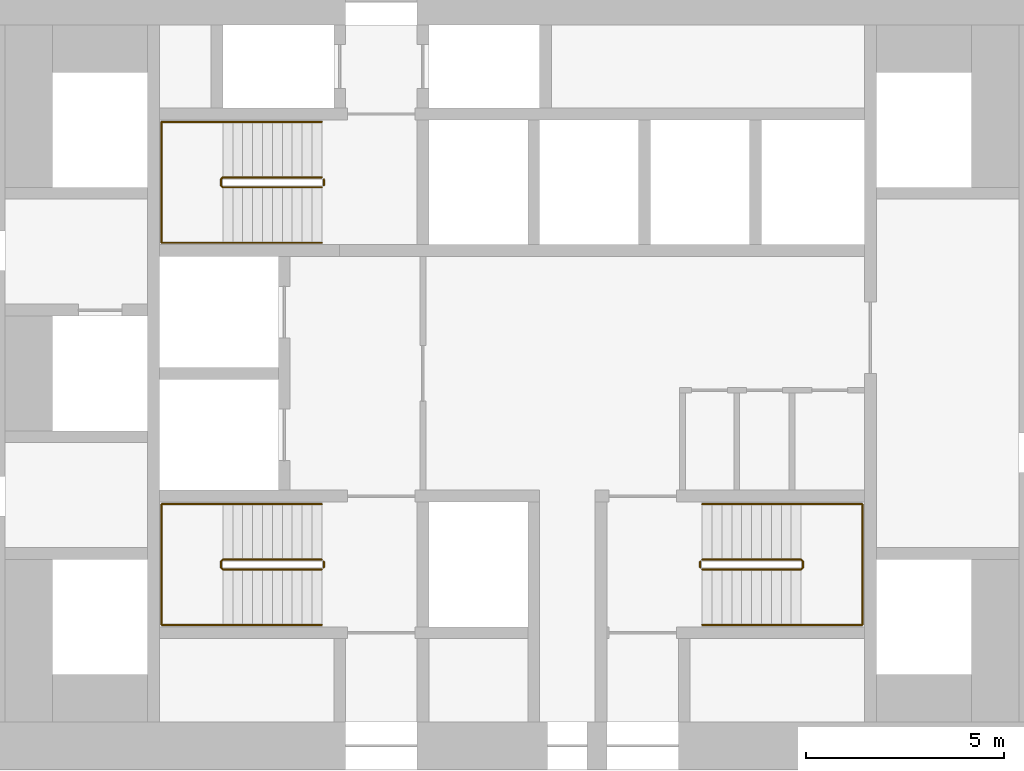
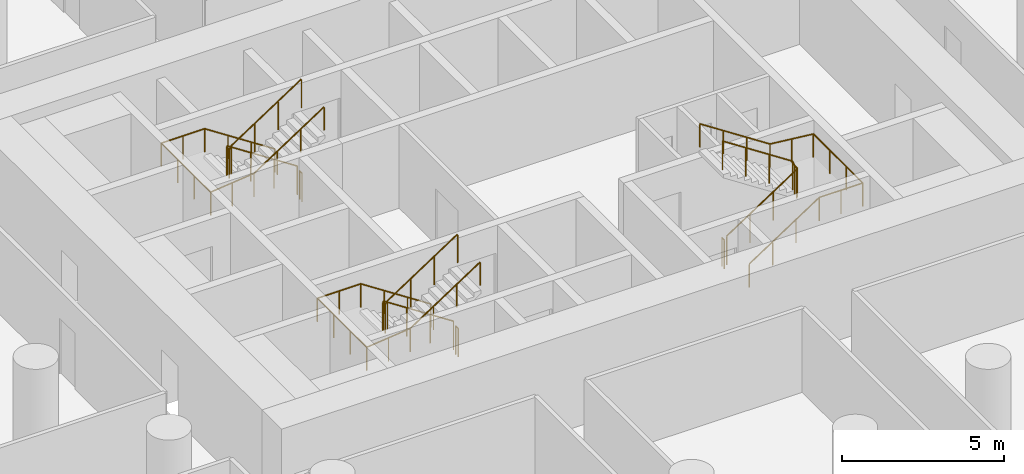
# One storey, part 12 of 12: 9 railings.
"""IFC4 building model written with IfcOpenShell, lengths in metres."""

import ifcopenshell
import ifcopenshell.guid

model = None  # the IFC model being written
_history = None  # IfcOwnerHistory: only IFC2X3 demands one
_inside = {}  # id of a spatial element -> (the spatial element, [elements in it])
_under = {}  # id of a project, library or spatial element -> (it, [spatial elements below it])
_declared = {}  # id of a project -> (the project, [libraries it declares])
_typed = {}  # id of a type object -> (the type object, [elements of that type])
_made_of = {}  # id of a material, layer set ... -> (it, [elements and type objects made of it])


def new_model(schema):
    """Start an empty IFC model of exactly this schema.

    Asked for "IFC4X3", IfcOpenShell would pick the latest addendum, in which some entities
    have other attributes; the version numbers below select the first issue.
    IFC2X3 requires an IfcOwnerHistory on every rooted entity: one is made here for all.
    """
    global model, _history
    if schema == "IFC4X3":
        model = ifcopenshell.file(schema_version=(4, 3, 0, 0))
    else:
        model = ifcopenshell.file(schema=schema)
    _inside.clear()
    _under.clear()
    _declared.clear()
    _typed.clear()
    _made_of.clear()
    _history = None
    if model.schema == "IFC2X3":
        org = make("IfcOrganization", Name="unknown")
        user = make(
            "IfcPersonAndOrganization",
            ThePerson=make("IfcPerson", FamilyName="unknown"),
            TheOrganization=org,
        )
        app = make(
            "IfcApplication",
            ApplicationDeveloper=org,
            Version="unknown",
            ApplicationFullName="unknown",
            ApplicationIdentifier="unknown",
        )
        _history = make(
            "IfcOwnerHistory",
            OwningUser=user,
            OwningApplication=app,
            ChangeAction="ADDED",
            CreationDate=0,
        )
    return model


def make(cls, **values):
    """One entity of the class cls with the attributes given. An attribute that is None is left unset."""
    return model.create_entity(
        cls, **{name: value for name, value in values.items() if value is not None}
    )


def rooted(cls, **values):
    """An entity with a GlobalId (a new one), such as an element, a storey or a relation."""
    return make(cls, GlobalId=ifcopenshell.guid.new(), OwnerHistory=_history, **values)


def si_unit(unit_type, name, prefix=None):
    """IfcSIUnit, for example si_unit("LENGTHUNIT", "METRE", prefix="MILLI")."""
    return make("IfcSIUnit", UnitType=unit_type, Prefix=prefix, Name=name)


def assignment(units):
    """IfcUnitAssignment: the units of a project."""
    return None if units is None else make("IfcUnitAssignment", Units=units)


def point(xyz):
    """IfcCartesianPoint."""
    return None if xyz is None else make("IfcCartesianPoint", Coordinates=xyz)


def direction(xyz):
    """IfcDirection."""
    return None if xyz is None else make("IfcDirection", DirectionRatios=xyz)


def frame(location, z_axis=None, x_axis=None):
    """IfcAxis2Placement3D, a coordinate frame: its origin and axes. An axis left out is left unset."""
    return make(
        "IfcAxis2Placement3D",
        Location=point(location),
        Axis=direction(z_axis),
        RefDirection=direction(x_axis),
    )


def frame_2d(location, x_axis=None):
    """IfcAxis2Placement2D, a coordinate frame in the plane: its origin and x axis."""
    return make(
        "IfcAxis2Placement2D", Location=point(location), RefDirection=direction(x_axis)
    )


def origin():
    """The frame at (0, 0, 0) with its axes left unset."""
    return frame((0.0, 0.0, 0.0))


def origin_2d():
    """The frame at (0, 0) in the plane with its x axis left unset."""
    return frame_2d((0.0, 0.0))


def place(relative_to, where):
    """IfcLocalPlacement: puts the frame where relative to a parent placement (None: the world)."""
    return make(
        "IfcLocalPlacement", PlacementRelTo=relative_to, RelativePlacement=where
    )


def context(
    kind, dimensions, precision=None, world=None, true_north=None, identifier=None
):
    """IfcGeometricRepresentationContext, for example the 3D "Model" context."""
    return make(
        "IfcGeometricRepresentationContext",
        ContextIdentifier=identifier,
        ContextType=kind,
        CoordinateSpaceDimension=dimensions,
        Precision=precision,
        WorldCoordinateSystem=world,
        TrueNorth=true_north,
    )


def subcontext(parent, identifier, kind, view, scale=None):
    """IfcGeometricRepresentationSubContext, for example "Body" below "Model"."""
    return make(
        "IfcGeometricRepresentationSubContext",
        ContextIdentifier=identifier,
        ContextType=kind,
        ParentContext=parent,
        TargetScale=scale,
        TargetView=view,
    )


def project(units=None, contexts=None):
    """IfcProject with its units and contexts."""
    return rooted(
        "IfcProject",
        Name="project",
        RepresentationContexts=contexts,
        UnitsInContext=assignment(units),
    )


def spatial(cls, under=None, at=None, **own):
    """A site, building, storey or space (cls), placed at a placement, below another one or the project."""
    s = rooted(cls, ObjectPlacement=at, **own)
    if under is not None:
        _under.setdefault(under.id(), (under, []))[1].append(s)
    return s


def profile(cls, at=None, kind="AREA", **sizes):
    """A parametric profile (cls). Its sizes go by their IFC names, for example OverallWidth=200.0."""
    return make(cls, ProfileType=kind, Position=at, **sizes)


def circle(**sizes):
    """IfcCircleProfileDef."""
    return profile("IfcCircleProfileDef", **sizes)


def extrude(swept, where, along, depth):
    """IfcExtrudedAreaSolid: the profile swept, set in the frame where, extruded along a direction by depth."""
    return make(
        "IfcExtrudedAreaSolid",
        SweptArea=swept,
        Position=where,
        ExtrudedDirection=direction(along),
        Depth=depth,
    )


def shape(context_of_items, identifier, shape_type, items):
    """IfcShapeRepresentation: the items that make up one representation, for example the "Body"."""
    return make(
        "IfcShapeRepresentation",
        ContextOfItems=context_of_items,
        RepresentationIdentifier=identifier,
        RepresentationType=shape_type,
        Items=items,
    )


def material(Name=None, Category=None):
    """IfcMaterial."""
    return make("IfcMaterial", Name=Name, Category=Category)


def made_of(thing, what):
    """Note that an element or type object is made of a material, layer set ...; save() writes the relation."""
    if what is not None:
        _made_of.setdefault(what.id(), (what, []))[1].append(thing)
    return thing


def type_object(cls, material=None, **own):
    """A type object (cls), such as IfcWallType, which elements share."""
    return made_of(rooted(cls, **own), material)


def element(
    cls,
    number,
    at=None,
    inside=None,
    cuts=None,
    type_object=None,
    material=None,
    context=None,
    identifier="Body",
    shape_type=None,
    held_by="IfcProductDefinitionShape",
    body=None,
    shapes=None,
    **own,
):
    """One element of the class cls, such as IfcWall. Its Tag is "e" and its number.

    at: its placement. inside: the storey or other place that contains it. cuts: it is an
    opening in that element (IfcRelVoidsElement). A single representation is given by context,
    identifier, shape_type and body (its items); several are given by shapes. held_by: the class
    of the entity that holds the representations. save() writes the other relations.
    """
    e = rooted(cls, Tag="e%d" % number, ObjectPlacement=at, **own)
    if body is not None:
        shapes = [shape(context, identifier, shape_type, body)]
    if shapes is not None:
        e.Representation = make(held_by, Representations=shapes)
    if inside is not None:
        _inside.setdefault(inside.id(), (inside, []))[1].append(e)
    if cuts is not None:
        rooted(
            "IfcRelVoidsElement", RelatingBuildingElement=cuts, RelatedOpeningElement=e
        )
    if type_object is not None:
        _typed.setdefault(type_object.id(), (type_object, []))[1].append(e)
    return made_of(e, material)


def aggregate(whole, parts):
    """IfcRelAggregates: a whole, such as a stair, and the parts it consists of."""
    return rooted("IfcRelAggregates", RelatingObject=whole, RelatedObjects=parts)


def save(model, path):
    """Write the relations noted so far, then the file.

    IfcRelAggregates (storeys below a building ...), IfcRelContainedInSpatialStructure (elements
    in a storey), IfcRelDefinesByType, IfcRelAssociatesMaterial and IfcRelDeclares: one each for
    every whole, place, type object, material and project.
    """
    for whole, parts in _under.values():
        aggregate(whole, parts)
    for where, things in _inside.values():
        rooted(
            "IfcRelContainedInSpatialStructure",
            RelatedElements=things,
            RelatingStructure=where,
        )
    for kind, things in _typed.values():
        rooted("IfcRelDefinesByType", RelatedObjects=things, RelatingType=kind)
    for what, things in _made_of.values():
        rooted("IfcRelAssociatesMaterial", RelatedObjects=things, RelatingMaterial=what)
    for by, libraries in _declared.values():
        rooted("IfcRelDeclares", RelatingContext=by, RelatedDefinitions=libraries)
    model.write(path)


model = new_model("IFC4")

# Units and contexts
model_context = context("Model", 3, precision=1e-05, world=origin(), true_north=direction((0.0, 1.0)))
body_context = subcontext(model_context, "Body", "Model", "MODEL_VIEW")
ifc_project = project(units=[si_unit("LENGTHUNIT", "METRE"), si_unit("AREAUNIT", "SQUARE_METRE"), si_unit("VOLUMEUNIT", "CUBIC_METRE"), si_unit("PLANEANGLEUNIT", "RADIAN"), si_unit("MASSUNIT", "GRAM", prefix="KILO")], contexts=[model_context])

# Site, building, storey
site_placement = place(None, origin())
site = spatial("IfcSite", under=ifc_project, at=site_placement, CompositionType="ELEMENT")
building_placement = place(site_placement, origin())
building = spatial("IfcBuilding", under=site, at=building_placement, Name="Tracery Tower", CompositionType="ELEMENT")
storey_placement = place(building_placement, frame((0.0, 0.0, 89.39990234375)))
storey = spatial("IfcBuildingStorey", under=building, at=storey_placement, Name="L22", CompositionType="ELEMENT", Elevation=89.39990234375)

# Railings
ifc_material_1 = material(Name="Stainless steel and laminated glass", Category="steel")
railing_type_1 = type_object("IfcRailingType", Name="Stair guard 1100", PredefinedType="GUARDRAIL", material=ifc_material_1)
railing_1_placement = place(storey_placement, frame((-4.800048828125, -4.699951171875, 0.163818359375)))
element("IfcRailing", 1, at=railing_1_placement, inside=storey, type_object=railing_type_1, Name="L22 stair ST1 guard 1", PredefinedType="GUARDRAIL", context=body_context, shape_type="SweptSolid", body=[
    extrude(circle(Radius=0.02392578125, at=origin_2d()), frame((0.0, 0.0, 1.076171875), z_axis=(-0.836721939367, 0.0, 0.547627972425), x_axis=(0.0, -1.0, 0.0)), (0.0, 0.0, 1.0), 2.98779296875),
    extrude(circle(Radius=0.02392578125, at=origin_2d()), frame((-2.5, 0.0, 2.71240234375), z_axis=(-0.707106781187, -0.707106781187, 0.0), x_axis=(0.707106781187, -0.707106781187, 0.0)), (0.0, 0.0, 1.0), 0.07080078125),
    extrude(circle(Radius=0.02392578125, at=origin_2d()), frame((-2.550048828125, -0.050048828125, 2.71240234375), z_axis=(0.0, -1.0, 0.0), x_axis=(1.0, 0.0, 0.0)), (0.0, 0.0, 1.0), 0.14990234375),
    extrude(circle(Radius=0.02392578125, at=origin_2d()), frame((-2.550048828125, -0.199951171875, 2.71240234375), z_axis=(0.280808744504, -0.280808744504, 0.917765164963), x_axis=(0.707106781187, 0.707106781187, 0.0)), (0.0, 0.0, 1.0), 0.17822265625),
    extrude(circle(Radius=0.02392578125, at=origin_2d()), frame((-2.5, -0.25, 2.8759765625), z_axis=(0.83668449804, 0.0, 0.54768517484), x_axis=(0.0, 1.0, 0.0)), (0.0, 0.0, 1.0), 2.988037109375),
    extrude(circle(Radius=0.02099609375, at=origin_2d()), origin(), (0.0, 0.0, 1.0), 1.052001953125),
    extrude(circle(Radius=0.02099609375, at=origin_2d()), frame((-0.833251953125, 0.0, 0.54541015625)), (0.0, 0.0, 1.0), 1.052001953125),
    extrude(circle(Radius=0.02099609375, at=origin_2d()), frame((-1.666748046875, 0.0, 1.0908203125)), (0.0, 0.0, 1.0), 1.052001953125),
    extrude(circle(Radius=0.02099609375, at=origin_2d()), frame((-2.5, 0.0, 1.63623046875)), (0.0, 0.0, 1.0), 1.052001953125),
    extrude(circle(Radius=0.02099609375, at=origin_2d()), frame((-2.550048828125, -0.050048828125, 1.63623046875)), (0.0, 0.0, 1.0), 1.052001953125),
    extrude(circle(Radius=0.02099609375, at=origin_2d()), frame((-2.550048828125, -0.199951171875, 1.63623046875)), (0.0, 0.0, 1.0), 1.052001953125),
    extrude(circle(Radius=0.02099609375, at=origin_2d()), frame((-2.5, -0.25, 1.7998046875)), (0.0, 0.0, 1.0), 1.052001953125),
    extrude(circle(Radius=0.02099609375, at=origin_2d()), frame((-1.666748046875, -0.25, 2.34521484375)), (0.0, 0.0, 1.0), 1.052001953125),
    extrude(circle(Radius=0.02099609375, at=origin_2d()), frame((-0.833251953125, -0.25, 2.890869140625)), (0.0, 0.0, 1.0), 1.052001953125),
    extrude(circle(Radius=0.02099609375, at=origin_2d()), frame((0.0, -0.25, 3.436279296875)), (0.0, 0.0, 1.0), 1.052001953125),
])
railing_2_placement = place(storey_placement, frame((-4.75, -4.75, 0.0)))
element("IfcRailing", 2, at=railing_2_placement, inside=storey, type_object=railing_type_1, Name="L22 stair ST1 guard 2", PredefinedType="GUARDRAIL", context=body_context, shape_type="SweptSolid", body=[
    extrude(circle(Radius=0.02392578125, at=origin_2d()), frame((0.0, 0.0, 1.076171875), z_axis=(0.0, -1.0, 0.0), x_axis=(1.0, 0.0, 0.0)), (0.0, 0.0, 1.0), 0.14990234375),
    extrude(circle(Radius=0.02099609375, at=origin_2d()), origin(), (0.0, 0.0, 1.0), 1.052001953125),
    extrude(circle(Radius=0.02099609375, at=origin_2d()), frame((0.0, -0.14990234375, 0.0)), (0.0, 0.0, 1.0), 1.052001953125),
])
railing_3_placement = place(storey_placement, frame((-4.800048828125, 4.949951171875, 0.163818359375)))
element("IfcRailing", 3, at=railing_3_placement, inside=storey, type_object=railing_type_1, Name="L22 stair ST3 guard 1", PredefinedType="GUARDRAIL", context=body_context, shape_type="SweptSolid", body=[
    extrude(circle(Radius=0.02392578125, at=origin_2d()), frame((0.0, 0.0, 1.076171875), z_axis=(-0.836721939367, 0.0, 0.547627972425), x_axis=(0.0, -1.0, 0.0)), (0.0, 0.0, 1.0), 2.98779296875),
    extrude(circle(Radius=0.02392578125, at=origin_2d()), frame((-2.5, 0.0, 2.71240234375), z_axis=(-0.707106781187, -0.707106781187, 0.0), x_axis=(0.707106781187, -0.707106781187, 0.0)), (0.0, 0.0, 1.0), 0.07080078125),
    extrude(circle(Radius=0.02392578125, at=origin_2d()), frame((-2.550048828125, -0.050048828125, 2.71240234375), z_axis=(0.0, -1.0, 0.0), x_axis=(1.0, 0.0, 0.0)), (0.0, 0.0, 1.0), 0.14990234375),
    extrude(circle(Radius=0.02392578125, at=origin_2d()), frame((-2.550048828125, -0.199951171875, 2.71240234375), z_axis=(0.280808744504, -0.280808744504, 0.917765164963), x_axis=(0.707106781187, 0.707106781187, 0.0)), (0.0, 0.0, 1.0), 0.17822265625),
    extrude(circle(Radius=0.02392578125, at=origin_2d()), frame((-2.5, -0.25, 2.8759765625), z_axis=(0.83668449804, 0.0, 0.54768517484), x_axis=(0.0, 1.0, 0.0)), (0.0, 0.0, 1.0), 2.988037109375),
    extrude(circle(Radius=0.02099609375, at=origin_2d()), origin(), (0.0, 0.0, 1.0), 1.052001953125),
    extrude(circle(Radius=0.02099609375, at=origin_2d()), frame((-0.833251953125, 0.0, 0.54541015625)), (0.0, 0.0, 1.0), 1.052001953125),
    extrude(circle(Radius=0.02099609375, at=origin_2d()), frame((-1.666748046875, 0.0, 1.0908203125)), (0.0, 0.0, 1.0), 1.052001953125),
    extrude(circle(Radius=0.02099609375, at=origin_2d()), frame((-2.5, 0.0, 1.63623046875)), (0.0, 0.0, 1.0), 1.052001953125),
    extrude(circle(Radius=0.02099609375, at=origin_2d()), frame((-2.550048828125, -0.050048828125, 1.63623046875)), (0.0, 0.0, 1.0), 1.052001953125),
    extrude(circle(Radius=0.02099609375, at=origin_2d()), frame((-2.550048828125, -0.199951171875, 1.63623046875)), (0.0, 0.0, 1.0), 1.052001953125),
    extrude(circle(Radius=0.02099609375, at=origin_2d()), frame((-2.5, -0.25, 1.7998046875)), (0.0, 0.0, 1.0), 1.052001953125),
    extrude(circle(Radius=0.02099609375, at=origin_2d()), frame((-1.666748046875, -0.25, 2.34521484375)), (0.0, 0.0, 1.0), 1.052001953125),
    extrude(circle(Radius=0.02099609375, at=origin_2d()), frame((-0.833251953125, -0.25, 2.890869140625)), (0.0, 0.0, 1.0), 1.052001953125),
    extrude(circle(Radius=0.02099609375, at=origin_2d()), frame((0.0, -0.25, 3.436279296875)), (0.0, 0.0, 1.0), 1.052001953125),
])
railing_4_placement = place(storey_placement, frame((-4.75, 4.89990234375, 0.0)))
element("IfcRailing", 4, at=railing_4_placement, inside=storey, type_object=railing_type_1, Name="L22 stair ST3 guard 2", PredefinedType="GUARDRAIL", context=body_context, shape_type="SweptSolid", body=[
    extrude(circle(Radius=0.02392578125, at=origin_2d()), frame((0.0, 0.0, 1.076171875), z_axis=(0.0, -1.0, 0.0), x_axis=(1.0, 0.0, 0.0)), (0.0, 0.0, 1.0), 0.14990234375),
    extrude(circle(Radius=0.02099609375, at=origin_2d()), origin(), (0.0, 0.0, 1.0), 1.052001953125),
    extrude(circle(Radius=0.02099609375, at=origin_2d()), frame((0.0, -0.14990234375, 0.0)), (0.0, 0.0, 1.0), 1.052001953125),
])
railing_5_placement = place(storey_placement, frame((4.800048828125, -4.949951171875, 0.163818359375)))
element("IfcRailing", 5, at=railing_5_placement, inside=storey, type_object=railing_type_1, Name="L22 stair ST2 guard 1", PredefinedType="GUARDRAIL", context=body_context, shape_type="SweptSolid", body=[
    extrude(circle(Radius=0.02392578125, at=origin_2d()), frame((0.0, 0.0, 1.076171875), z_axis=(0.836721939367, 0.0, 0.547627972425), x_axis=(0.0, 1.0, 0.0)), (0.0, 0.0, 1.0), 2.98779296875),
    extrude(circle(Radius=0.02392578125, at=origin_2d()), frame((2.5, 0.0, 2.71240234375), z_axis=(0.707106781187, 0.707106781187, 0.0), x_axis=(-0.707106781187, 0.707106781187, 0.0)), (0.0, 0.0, 1.0), 0.07080078125),
    extrude(circle(Radius=0.02392578125, at=origin_2d()), frame((2.550048828125, 0.050048828125, 2.71240234375), z_axis=(0.0, 1.0, 0.0), x_axis=(-1.0, 0.0, 0.0)), (0.0, 0.0, 1.0), 0.14990234375),
    extrude(circle(Radius=0.02392578125, at=origin_2d()), frame((2.550048828125, 0.199951171875, 2.71240234375), z_axis=(-0.280808744504, 0.280808744504, 0.917765164963), x_axis=(-0.707106781187, -0.707106781187, 0.0)), (0.0, 0.0, 1.0), 0.17822265625),
    extrude(circle(Radius=0.02392578125, at=origin_2d()), frame((2.5, 0.25, 2.8759765625), z_axis=(-0.83668449804, 0.0, 0.54768517484), x_axis=(0.0, -1.0, 0.0)), (0.0, 0.0, 1.0), 2.988037109375),
    extrude(circle(Radius=0.02099609375, at=origin_2d()), origin(), (0.0, 0.0, 1.0), 1.052001953125),
    extrude(circle(Radius=0.02099609375, at=origin_2d()), frame((0.833251953125, 0.0, 0.54541015625)), (0.0, 0.0, 1.0), 1.052001953125),
    extrude(circle(Radius=0.02099609375, at=origin_2d()), frame((1.666748046875, 0.0, 1.0908203125)), (0.0, 0.0, 1.0), 1.052001953125),
    extrude(circle(Radius=0.02099609375, at=origin_2d()), frame((2.5, 0.0, 1.63623046875)), (0.0, 0.0, 1.0), 1.052001953125),
    extrude(circle(Radius=0.02099609375, at=origin_2d()), frame((2.550048828125, 0.050048828125, 1.63623046875)), (0.0, 0.0, 1.0), 1.052001953125),
    extrude(circle(Radius=0.02099609375, at=origin_2d()), frame((2.550048828125, 0.199951171875, 1.63623046875)), (0.0, 0.0, 1.0), 1.052001953125),
    extrude(circle(Radius=0.02099609375, at=origin_2d()), frame((2.5, 0.25, 1.7998046875)), (0.0, 0.0, 1.0), 1.052001953125),
    extrude(circle(Radius=0.02099609375, at=origin_2d()), frame((1.666748046875, 0.25, 2.34521484375)), (0.0, 0.0, 1.0), 1.052001953125),
    extrude(circle(Radius=0.02099609375, at=origin_2d()), frame((0.833251953125, 0.25, 2.890869140625)), (0.0, 0.0, 1.0), 1.052001953125),
    extrude(circle(Radius=0.02099609375, at=origin_2d()), frame((0.0, 0.25, 3.436279296875)), (0.0, 0.0, 1.0), 1.052001953125),
])
railing_6_placement = place(storey_placement, frame((4.75, -4.89990234375, 0.0)))
element("IfcRailing", 6, at=railing_6_placement, inside=storey, type_object=railing_type_1, Name="L22 stair ST2 guard 2", PredefinedType="GUARDRAIL", context=body_context, shape_type="SweptSolid", body=[
    extrude(circle(Radius=0.02392578125, at=origin_2d()), frame((0.0, 0.0, 1.076171875), z_axis=(0.0, 1.0, 0.0), x_axis=(-1.0, 0.0, 0.0)), (0.0, 0.0, 1.0), 0.14990234375),
    extrude(circle(Radius=0.02099609375, at=origin_2d()), origin(), (0.0, 0.0, 1.0), 1.052001953125),
    extrude(circle(Radius=0.02099609375, at=origin_2d()), frame((0.0, 0.14990234375, 0.0)), (0.0, 0.0, 1.0), 1.052001953125),
])
ifc_material_2 = material(Name="Stainless steel and laminated glass", Category="steel")
railing_type_2 = type_object("IfcRailingType", Name="Stair handrail 900", PredefinedType="HANDRAIL", material=ifc_material_2)
railing_7_placement = place(storey_placement, frame((-4.800048828125, -3.300048828125, 0.163818359375)))
element("IfcRailing", 7, at=railing_7_placement, inside=storey, type_object=railing_type_2, Name="L22 stair ST1 handrail 1", PredefinedType="HANDRAIL", context=body_context, shape_type="SweptSolid", body=[
    extrude(circle(Radius=0.02392578125, at=origin_2d()), frame((0.0, 0.0, 0.8759765625), z_axis=(-0.836721939367, 0.0, 0.547627972425), x_axis=(0.0, -1.0, 0.0)), (0.0, 0.0, 1.0), 2.98779296875),
    extrude(circle(Radius=0.02392578125, at=origin_2d()), frame((-2.5, 0.0, 2.51220703125), z_axis=(-1.0, 0.0, 0.0), x_axis=(0.0, -1.0, 0.0)), (0.0, 0.0, 1.0), 1.550048828125),
    extrude(circle(Radius=0.02392578125, at=origin_2d()), frame((-4.050048828125, 0.0, 2.51220703125), z_axis=(0.0, -1.0, 0.0), x_axis=(1.0, 0.0, 0.0)), (0.0, 0.0, 1.0), 3.050048828125),
    extrude(circle(Radius=0.02392578125, at=origin_2d()), frame((-4.050048828125, -3.050048828125, 2.51220703125), z_axis=(0.994477953863, 0.0, 0.104945696817), x_axis=(0.0, 1.0, 0.0)), (0.0, 0.0, 1.0), 1.55859375),
    extrude(circle(Radius=0.02392578125, at=origin_2d()), frame((-2.5, -3.050048828125, 2.67578125), z_axis=(0.83668449804, 0.0, 0.54768517484), x_axis=(0.0, 1.0, 0.0)), (0.0, 0.0, 1.0), 2.988037109375),
    extrude(circle(Radius=0.02099609375, at=origin_2d()), origin(), (0.0, 0.0, 1.0), 0.851806640625),
    extrude(circle(Radius=0.02099609375, at=origin_2d()), frame((-0.833251953125, 0.0, 0.54541015625)), (0.0, 0.0, 1.0), 0.851806640625),
    extrude(circle(Radius=0.02099609375, at=origin_2d()), frame((-1.666748046875, 0.0, 1.0908203125)), (0.0, 0.0, 1.0), 0.851806640625),
    extrude(circle(Radius=0.02099609375, at=origin_2d()), frame((-2.5, 0.0, 1.63623046875)), (0.0, 0.0, 1.0), 0.851806640625),
    extrude(circle(Radius=0.02099609375, at=origin_2d()), frame((-3.27490234375, 0.0, 1.63623046875)), (0.0, 0.0, 1.0), 0.851806640625),
    extrude(circle(Radius=0.02099609375, at=origin_2d()), frame((-4.050048828125, 0.0, 1.63623046875)), (0.0, 0.0, 1.0), 0.851806640625),
    extrude(circle(Radius=0.02099609375, at=origin_2d()), frame((-4.050048828125, -1.0166015625, 1.63623046875)), (0.0, 0.0, 1.0), 0.851806640625),
    extrude(circle(Radius=0.02099609375, at=origin_2d()), frame((-4.050048828125, -2.033447265625, 1.63623046875)), (0.0, 0.0, 1.0), 0.851806640625),
    extrude(circle(Radius=0.02099609375, at=origin_2d()), frame((-4.050048828125, -3.050048828125, 1.63623046875)), (0.0, 0.0, 1.0), 0.851806640625),
    extrude(circle(Radius=0.02099609375, at=origin_2d()), frame((-3.27490234375, -3.050048828125, 1.718017578125)), (0.0, 0.0, 1.0), 0.851806640625),
    extrude(circle(Radius=0.02099609375, at=origin_2d()), frame((-2.5, -3.050048828125, 1.7998046875)), (0.0, 0.0, 1.0), 0.851806640625),
    extrude(circle(Radius=0.02099609375, at=origin_2d()), frame((-1.666748046875, -3.050048828125, 2.34521484375)), (0.0, 0.0, 1.0), 0.851806640625),
    extrude(circle(Radius=0.02099609375, at=origin_2d()), frame((-0.833251953125, -3.050048828125, 2.890869140625)), (0.0, 0.0, 1.0), 0.851806640625),
    extrude(circle(Radius=0.02099609375, at=origin_2d()), frame((0.0, -3.050048828125, 3.436279296875)), (0.0, 0.0, 1.0), 0.851806640625),
])
railing_8_placement = place(storey_placement, frame((-4.800048828125, 6.35009765625, 0.163818359375)))
element("IfcRailing", 8, at=railing_8_placement, inside=storey, type_object=railing_type_2, Name="L22 stair ST3 handrail 1", PredefinedType="HANDRAIL", context=body_context, shape_type="SweptSolid", body=[
    extrude(circle(Radius=0.02392578125, at=origin_2d()), frame((0.0, 0.0, 0.8759765625), z_axis=(-0.836721939367, 0.0, 0.547627972425), x_axis=(0.0, -1.0, 0.0)), (0.0, 0.0, 1.0), 2.98779296875),
    extrude(circle(Radius=0.02392578125, at=origin_2d()), frame((-2.5, 0.0, 2.51220703125), z_axis=(-1.0, 0.0, 0.0), x_axis=(0.0, -1.0, 0.0)), (0.0, 0.0, 1.0), 1.550048828125),
    extrude(circle(Radius=0.02392578125, at=origin_2d()), frame((-4.050048828125, 0.0, 2.51220703125), z_axis=(0.0, -1.0, 0.0), x_axis=(1.0, 0.0, 0.0)), (0.0, 0.0, 1.0), 3.050048828125),
    extrude(circle(Radius=0.02392578125, at=origin_2d()), frame((-4.050048828125, -3.050048828125, 2.51220703125), z_axis=(0.994477953863, 0.0, 0.104945696817), x_axis=(0.0, 1.0, 0.0)), (0.0, 0.0, 1.0), 1.55859375),
    extrude(circle(Radius=0.02392578125, at=origin_2d()), frame((-2.5, -3.050048828125, 2.67578125), z_axis=(0.83668449804, 0.0, 0.54768517484), x_axis=(0.0, 1.0, 0.0)), (0.0, 0.0, 1.0), 2.988037109375),
    extrude(circle(Radius=0.02099609375, at=origin_2d()), origin(), (0.0, 0.0, 1.0), 0.851806640625),
    extrude(circle(Radius=0.02099609375, at=origin_2d()), frame((-0.833251953125, 0.0, 0.54541015625)), (0.0, 0.0, 1.0), 0.851806640625),
    extrude(circle(Radius=0.02099609375, at=origin_2d()), frame((-1.666748046875, 0.0, 1.0908203125)), (0.0, 0.0, 1.0), 0.851806640625),
    extrude(circle(Radius=0.02099609375, at=origin_2d()), frame((-2.5, 0.0, 1.63623046875)), (0.0, 0.0, 1.0), 0.851806640625),
    extrude(circle(Radius=0.02099609375, at=origin_2d()), frame((-3.27490234375, 0.0, 1.63623046875)), (0.0, 0.0, 1.0), 0.851806640625),
    extrude(circle(Radius=0.02099609375, at=origin_2d()), frame((-4.050048828125, 0.0, 1.63623046875)), (0.0, 0.0, 1.0), 0.851806640625),
    extrude(circle(Radius=0.02099609375, at=origin_2d()), frame((-4.050048828125, -1.0166015625, 1.63623046875)), (0.0, 0.0, 1.0), 0.851806640625),
    extrude(circle(Radius=0.02099609375, at=origin_2d()), frame((-4.050048828125, -2.033447265625, 1.63623046875)), (0.0, 0.0, 1.0), 0.851806640625),
    extrude(circle(Radius=0.02099609375, at=origin_2d()), frame((-4.050048828125, -3.050048828125, 1.63623046875)), (0.0, 0.0, 1.0), 0.851806640625),
    extrude(circle(Radius=0.02099609375, at=origin_2d()), frame((-3.27490234375, -3.050048828125, 1.718017578125)), (0.0, 0.0, 1.0), 0.851806640625),
    extrude(circle(Radius=0.02099609375, at=origin_2d()), frame((-2.5, -3.050048828125, 1.7998046875)), (0.0, 0.0, 1.0), 0.851806640625),
    extrude(circle(Radius=0.02099609375, at=origin_2d()), frame((-1.666748046875, -3.050048828125, 2.34521484375)), (0.0, 0.0, 1.0), 0.851806640625),
    extrude(circle(Radius=0.02099609375, at=origin_2d()), frame((-0.833251953125, -3.050048828125, 2.890869140625)), (0.0, 0.0, 1.0), 0.851806640625),
    extrude(circle(Radius=0.02099609375, at=origin_2d()), frame((0.0, -3.050048828125, 3.436279296875)), (0.0, 0.0, 1.0), 0.851806640625),
])
railing_9_placement = place(storey_placement, frame((4.800048828125, -6.35009765625, 0.163818359375)))
element("IfcRailing", 9, at=railing_9_placement, inside=storey, type_object=railing_type_2, Name="L22 stair ST2 handrail 1", PredefinedType="HANDRAIL", context=body_context, shape_type="SweptSolid", body=[
    extrude(circle(Radius=0.02392578125, at=origin_2d()), frame((0.0, 0.0, 0.8759765625), z_axis=(0.836721939367, 0.0, 0.547627972425), x_axis=(0.0, 1.0, 0.0)), (0.0, 0.0, 1.0), 2.98779296875),
    extrude(circle(Radius=0.02392578125, at=origin_2d()), frame((2.5, 0.0, 2.51220703125), z_axis=(1.0, 0.0, 0.0), x_axis=(0.0, 1.0, 0.0)), (0.0, 0.0, 1.0), 1.550048828125),
    extrude(circle(Radius=0.02392578125, at=origin_2d()), frame((4.050048828125, 0.0, 2.51220703125), z_axis=(0.0, 1.0, 0.0), x_axis=(-1.0, 0.0, 0.0)), (0.0, 0.0, 1.0), 3.050048828125),
    extrude(circle(Radius=0.02392578125, at=origin_2d()), frame((4.050048828125, 3.050048828125, 2.51220703125), z_axis=(-0.994477953863, 0.0, 0.104945696817), x_axis=(0.0, -1.0, 0.0)), (0.0, 0.0, 1.0), 1.55859375),
    extrude(circle(Radius=0.02392578125, at=origin_2d()), frame((2.5, 3.050048828125, 2.67578125), z_axis=(-0.83668449804, 0.0, 0.54768517484), x_axis=(0.0, -1.0, 0.0)), (0.0, 0.0, 1.0), 2.988037109375),
    extrude(circle(Radius=0.02099609375, at=origin_2d()), origin(), (0.0, 0.0, 1.0), 0.851806640625),
    extrude(circle(Radius=0.02099609375, at=origin_2d()), frame((0.833251953125, 0.0, 0.54541015625)), (0.0, 0.0, 1.0), 0.851806640625),
    extrude(circle(Radius=0.02099609375, at=origin_2d()), frame((1.666748046875, 0.0, 1.0908203125)), (0.0, 0.0, 1.0), 0.851806640625),
    extrude(circle(Radius=0.02099609375, at=origin_2d()), frame((2.5, 0.0, 1.63623046875)), (0.0, 0.0, 1.0), 0.851806640625),
    extrude(circle(Radius=0.02099609375, at=origin_2d()), frame((3.27490234375, 0.0, 1.63623046875)), (0.0, 0.0, 1.0), 0.851806640625),
    extrude(circle(Radius=0.02099609375, at=origin_2d()), frame((4.050048828125, 0.0, 1.63623046875)), (0.0, 0.0, 1.0), 0.851806640625),
    extrude(circle(Radius=0.02099609375, at=origin_2d()), frame((4.050048828125, 1.0166015625, 1.63623046875)), (0.0, 0.0, 1.0), 0.851806640625),
    extrude(circle(Radius=0.02099609375, at=origin_2d()), frame((4.050048828125, 2.033447265625, 1.63623046875)), (0.0, 0.0, 1.0), 0.851806640625),
    extrude(circle(Radius=0.02099609375, at=origin_2d()), frame((4.050048828125, 3.050048828125, 1.63623046875)), (0.0, 0.0, 1.0), 0.851806640625),
    extrude(circle(Radius=0.02099609375, at=origin_2d()), frame((3.27490234375, 3.050048828125, 1.718017578125)), (0.0, 0.0, 1.0), 0.851806640625),
    extrude(circle(Radius=0.02099609375, at=origin_2d()), frame((2.5, 3.050048828125, 1.7998046875)), (0.0, 0.0, 1.0), 0.851806640625),
    extrude(circle(Radius=0.02099609375, at=origin_2d()), frame((1.666748046875, 3.050048828125, 2.34521484375)), (0.0, 0.0, 1.0), 0.851806640625),
    extrude(circle(Radius=0.02099609375, at=origin_2d()), frame((0.833251953125, 3.050048828125, 2.890869140625)), (0.0, 0.0, 1.0), 0.851806640625),
    extrude(circle(Radius=0.02099609375, at=origin_2d()), frame((0.0, 3.050048828125, 3.436279296875)), (0.0, 0.0, 1.0), 0.851806640625),
])

save(model, "model.ifc")
